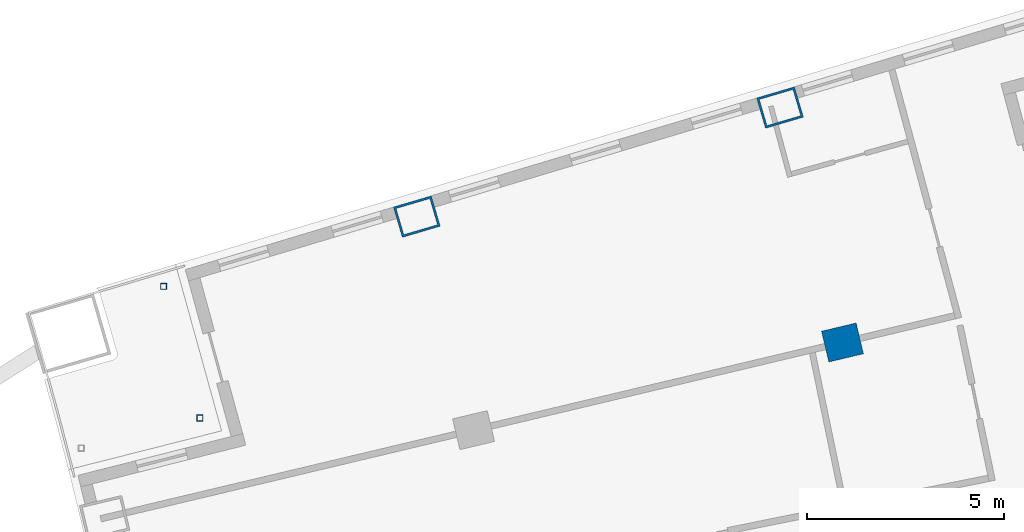
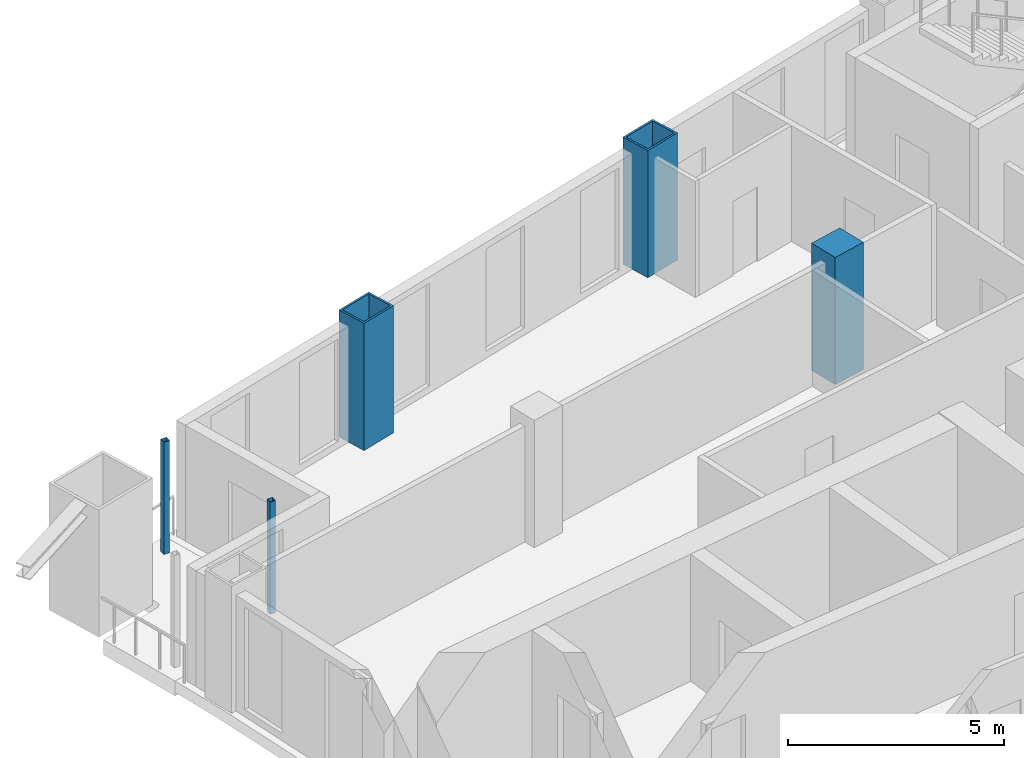
# One storey, part 7 of 20: 5 columns.
"""IFC4 building model written with IfcOpenShell, lengths in metres."""

from ifc_helpers import new_model, si_unit, direction, frame, origin, origin_2d, place, context, subcontext, project, spatial, rectangle, hollow_rectangle, extrude, material, material_profile, profile_set, type_object, element, save


model = new_model("IFC4")

# Units and contexts
model_context = context("Model", 3, precision=1e-05, world=origin(), true_north=direction((0.0, 1.0)))
body_context = subcontext(model_context, "Body", "Model", "MODEL_VIEW")
ifc_project = project(units=[si_unit("LENGTHUNIT", "METRE"), si_unit("AREAUNIT", "SQUARE_METRE"), si_unit("VOLUMEUNIT", "CUBIC_METRE"), si_unit("PLANEANGLEUNIT", "RADIAN"), si_unit("MASSUNIT", "GRAM", prefix="KILO")], contexts=[model_context])

# Site, building, storey
site_placement = place(None, origin())
site = spatial("IfcSite", under=ifc_project, at=site_placement, CompositionType="ELEMENT")
building_placement = place(site_placement, origin())
building = spatial("IfcBuilding", under=site, at=building_placement, Name="Alderwake Tower", CompositionType="ELEMENT")
storey_placement = place(building_placement, frame((0.0, 0.0, 153.199951171875)))
storey = spatial("IfcBuildingStorey", under=building, at=storey_placement, Name="L37", CompositionType="ELEMENT", Elevation=153.199951171875)

# Columns
ifc_material_1 = material(Name="Steel ASTM A572 Grade 50 concrete filled C70/85", Category="concrete")
ifc_material_profile_1 = material_profile(ifc_material_1, hollow_rectangle(XDim=0.800048828125, YDim=1.0, WallThickness=0.054931640625, at=origin_2d()), Name="BOX 1000X800X55")
ifc_profile_set_1 = profile_set([ifc_material_profile_1], Name="Steel ASTM A572 Grade 50 concrete filled C70/85")
column_type_1 = type_object("IfcColumnType", Name="End column Z3", PredefinedType="COLUMN", material=ifc_profile_set_1)
for number, where, z_axis, x_axis, name in (
    (1, (21.885498046875, 90.96240234375, 0.0), (0.0, 0.0, 1.0), (-0.282132160283, 0.95937554906, 0.0), "Column R12-C1"),
    (2, (31.080322265625, 93.72314453125, 0.0), (0.0, 0.0, 1.0), (-0.282582549822, 0.959242984095, 0.0), "Column R12-C2"),
):
    element("IfcColumn", number, at=place(storey_placement, frame(where, z_axis=z_axis, x_axis=x_axis)), inside=storey, type_object=column_type_1, Name=name, PredefinedType="COLUMN", context=body_context, shape_type="SweptSolid", body=[
        extrude(hollow_rectangle(XDim=0.800048828125, YDim=1.0, WallThickness=0.054931640625, at=origin_2d()), origin(), (0.0, 0.0, 1.0), 3.60009765625),
    ])
ifc_material_2 = material(Name="Concrete C70/85", Category="concrete")
ifc_material_profile_2 = material_profile(ifc_material_2, rectangle(XDim=0.800048828125, YDim=0.89990234375, at=origin_2d()), Name="RC 900X800")
ifc_profile_set_2 = profile_set([ifc_material_profile_2], Name="Concrete C70/85")
column_type_2 = type_object("IfcColumnType", Name="Interior column Z3", PredefinedType="COLUMN", material=ifc_profile_set_2)
column_placement = place(storey_placement, frame((32.661865234375, 87.775390625, 0.0), z_axis=(0.0, 0.0, 1.0), x_axis=(-0.231221547198, 0.972901123502, 0.0)))
element("IfcColumn", 3, at=column_placement, inside=storey, type_object=column_type_2, Name="Column R11-C2", PredefinedType="COLUMN", context=body_context, shape_type="SweptSolid", body=[
    extrude(rectangle(XDim=0.800048828125, YDim=0.89990234375, at=origin_2d()), origin(), (0.0, 0.0, 1.0), 3.60009765625),
])
ifc_material_3 = material(Name="Steel ASTM A500 Grade C", Category="steel")
ifc_material_profile_3 = material_profile(ifc_material_3, hollow_rectangle(XDim=0.15234375, YDim=0.15234375, WallThickness=0.0087890625, at=origin_2d()), Name="HSS6X6X3/8")
ifc_profile_set_3 = profile_set([ifc_material_profile_3], Name="Steel ASTM A500 Grade C")
column_type_3 = type_object("IfcColumnType", Name="Light post HSS6X6X3/8", PredefinedType="COLUMN", material=ifc_profile_set_3)
for number, where, z_axis, x_axis, name in (
    (4, (15.47412109375, 89.194091796875, 0.0), (0.0, 0.0, 1.0), (1.0, 0.0, 0.0), "Terrace post RN2"),
    (5, (16.39501953125, 85.864013671875, 0.0), (0.0, 0.0, 1.0), (1.0, 0.0, 0.0), "Terrace post RN3"),
):
    element("IfcColumn", number, at=place(storey_placement, frame(where, z_axis=z_axis, x_axis=x_axis)), inside=storey, type_object=column_type_3, Name=name, PredefinedType="COLUMN", context=body_context, shape_type="SweptSolid", body=[
        extrude(hollow_rectangle(XDim=0.15234375, YDim=0.15234375, WallThickness=0.0087890625, at=origin_2d()), origin(), (0.0, 0.0, 1.0), 3.179931640625),
    ])

save(model, "model.ifc")
